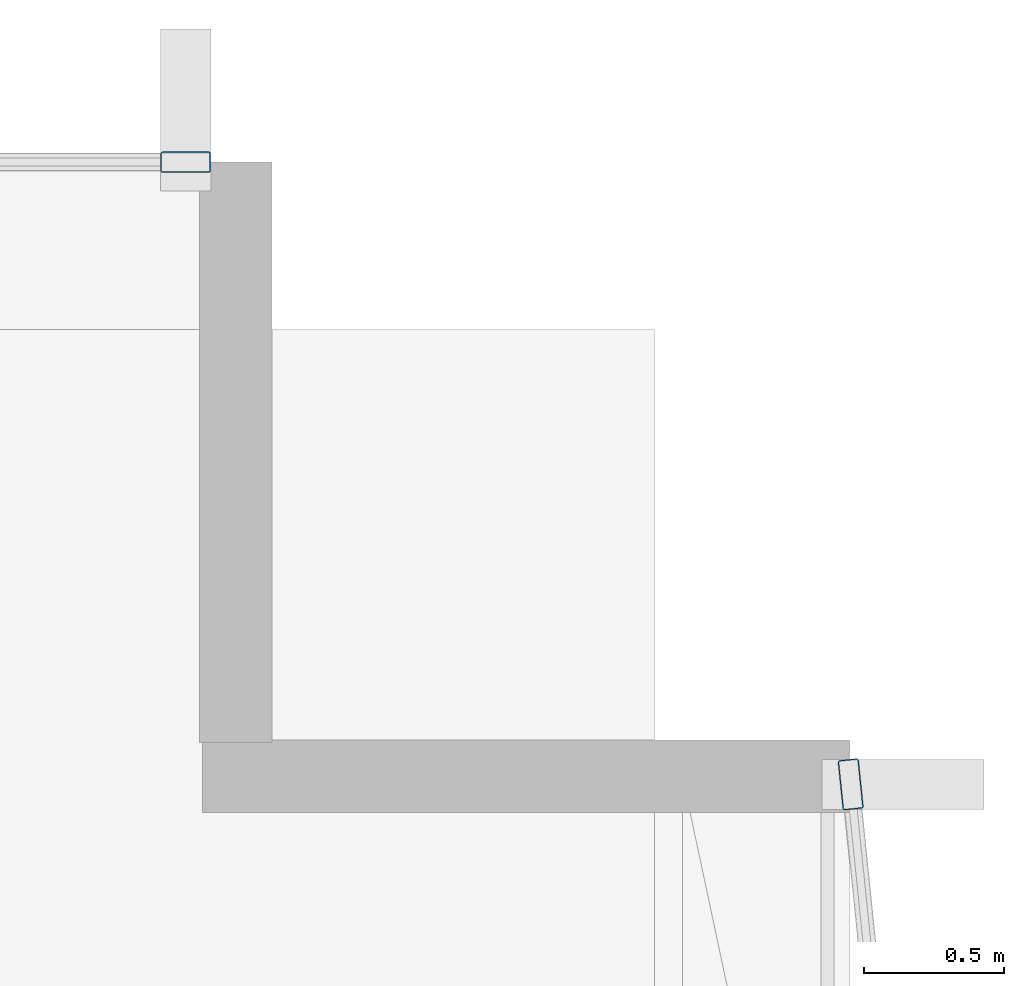
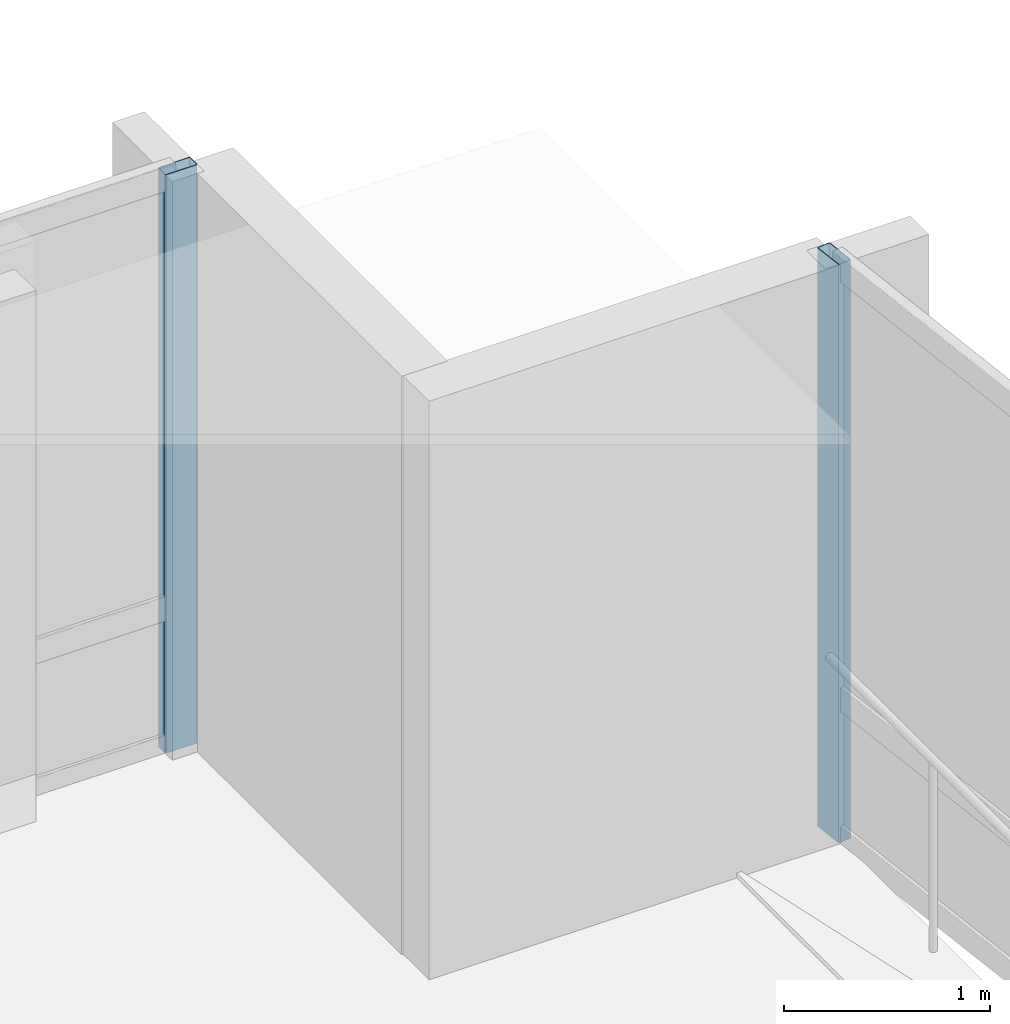
# One storey, part 17 of 34: 2 members, 2 elements without a shape of their own.
"""IFC4 building model written with IfcOpenShell, lengths in metres."""

import ifcopenshell
import ifcopenshell.guid

model = None  # the IFC model being written
_history = None  # IfcOwnerHistory: only IFC2X3 demands one
_inside = {}  # id of a spatial element -> (the spatial element, [elements in it])
_under = {}  # id of a project, library or spatial element -> (it, [spatial elements below it])
_declared = {}  # id of a project -> (the project, [libraries it declares])
_typed = {}  # id of a type object -> (the type object, [elements of that type])
_made_of = {}  # id of a material, layer set ... -> (it, [elements and type objects made of it])


def new_model(schema):
    """Start an empty IFC model of exactly this schema.

    Asked for "IFC4X3", IfcOpenShell would pick the latest addendum, in which some entities
    have other attributes; the version numbers below select the first issue.
    IFC2X3 requires an IfcOwnerHistory on every rooted entity: one is made here for all.
    """
    global model, _history
    if schema == "IFC4X3":
        model = ifcopenshell.file(schema_version=(4, 3, 0, 0))
    else:
        model = ifcopenshell.file(schema=schema)
    _inside.clear()
    _under.clear()
    _declared.clear()
    _typed.clear()
    _made_of.clear()
    _history = None
    if model.schema == "IFC2X3":
        org = make("IfcOrganization", Name="unknown")
        user = make(
            "IfcPersonAndOrganization",
            ThePerson=make("IfcPerson", FamilyName="unknown"),
            TheOrganization=org,
        )
        app = make(
            "IfcApplication",
            ApplicationDeveloper=org,
            Version="unknown",
            ApplicationFullName="unknown",
            ApplicationIdentifier="unknown",
        )
        _history = make(
            "IfcOwnerHistory",
            OwningUser=user,
            OwningApplication=app,
            ChangeAction="ADDED",
            CreationDate=0,
        )
    return model


def make(cls, **values):
    """One entity of the class cls with the attributes given. An attribute that is None is left unset."""
    return model.create_entity(
        cls, **{name: value for name, value in values.items() if value is not None}
    )


def rooted(cls, **values):
    """An entity with a GlobalId (a new one), such as an element, a storey or a relation."""
    return make(cls, GlobalId=ifcopenshell.guid.new(), OwnerHistory=_history, **values)


def si_unit(unit_type, name, prefix=None):
    """IfcSIUnit, for example si_unit("LENGTHUNIT", "METRE", prefix="MILLI")."""
    return make("IfcSIUnit", UnitType=unit_type, Prefix=prefix, Name=name)


def assignment(units):
    """IfcUnitAssignment: the units of a project."""
    return None if units is None else make("IfcUnitAssignment", Units=units)


def point(xyz):
    """IfcCartesianPoint."""
    return None if xyz is None else make("IfcCartesianPoint", Coordinates=xyz)


def direction(xyz):
    """IfcDirection."""
    return None if xyz is None else make("IfcDirection", DirectionRatios=xyz)


def frame(location, z_axis=None, x_axis=None):
    """IfcAxis2Placement3D, a coordinate frame: its origin and axes. An axis left out is left unset."""
    return make(
        "IfcAxis2Placement3D",
        Location=point(location),
        Axis=direction(z_axis),
        RefDirection=direction(x_axis),
    )


def frame_2d(location, x_axis=None):
    """IfcAxis2Placement2D, a coordinate frame in the plane: its origin and x axis."""
    return make(
        "IfcAxis2Placement2D", Location=point(location), RefDirection=direction(x_axis)
    )


def origin():
    """The frame at (0, 0, 0) with its axes left unset."""
    return frame((0.0, 0.0, 0.0))


def origin_2d():
    """The frame at (0, 0) in the plane with its x axis left unset."""
    return frame_2d((0.0, 0.0))


def place(relative_to, where):
    """IfcLocalPlacement: puts the frame where relative to a parent placement (None: the world)."""
    return make(
        "IfcLocalPlacement", PlacementRelTo=relative_to, RelativePlacement=where
    )


def context(
    kind, dimensions, precision=None, world=None, true_north=None, identifier=None
):
    """IfcGeometricRepresentationContext, for example the 3D "Model" context."""
    return make(
        "IfcGeometricRepresentationContext",
        ContextIdentifier=identifier,
        ContextType=kind,
        CoordinateSpaceDimension=dimensions,
        Precision=precision,
        WorldCoordinateSystem=world,
        TrueNorth=true_north,
    )


def subcontext(parent, identifier, kind, view, scale=None):
    """IfcGeometricRepresentationSubContext, for example "Body" below "Model"."""
    return make(
        "IfcGeometricRepresentationSubContext",
        ContextIdentifier=identifier,
        ContextType=kind,
        ParentContext=parent,
        TargetScale=scale,
        TargetView=view,
    )


def project(units=None, contexts=None):
    """IfcProject with its units and contexts."""
    return rooted(
        "IfcProject",
        Name="project",
        RepresentationContexts=contexts,
        UnitsInContext=assignment(units),
    )


def spatial(cls, under=None, at=None, **own):
    """A site, building, storey or space (cls), placed at a placement, below another one or the project."""
    s = rooted(cls, ObjectPlacement=at, **own)
    if under is not None:
        _under.setdefault(under.id(), (under, []))[1].append(s)
    return s


def profile(cls, at=None, kind="AREA", **sizes):
    """A parametric profile (cls). Its sizes go by their IFC names, for example OverallWidth=200.0."""
    return make(cls, ProfileType=kind, Position=at, **sizes)


def hollow_rectangle(**sizes):
    """IfcRectangleHollowProfileDef."""
    return profile("IfcRectangleHollowProfileDef", **sizes)


def extrude(swept, where, along, depth):
    """IfcExtrudedAreaSolid: the profile swept, set in the frame where, extruded along a direction by depth."""
    return make(
        "IfcExtrudedAreaSolid",
        SweptArea=swept,
        Position=where,
        ExtrudedDirection=direction(along),
        Depth=depth,
    )


def shape(context_of_items, identifier, shape_type, items):
    """IfcShapeRepresentation: the items that make up one representation, for example the "Body"."""
    return make(
        "IfcShapeRepresentation",
        ContextOfItems=context_of_items,
        RepresentationIdentifier=identifier,
        RepresentationType=shape_type,
        Items=items,
    )


def material(Name=None, Category=None):
    """IfcMaterial."""
    return make("IfcMaterial", Name=Name, Category=Category)


def layer(
    of_material, thickness, ventilated=None, Name=None, Category=None, Priority=None
):
    """IfcMaterialLayer: one layer of a wall or slab, of a material (None: an air gap)."""
    return make(
        "IfcMaterialLayer",
        Material=of_material,
        LayerThickness=thickness,
        IsVentilated=ventilated,
        Name=Name,
        Category=Category,
        Priority=Priority,
    )


def layer_set(layers, Name=None):
    """IfcMaterialLayerSet."""
    return make("IfcMaterialLayerSet", MaterialLayers=layers, LayerSetName=Name)


def material_profile(
    of_material, cross_section, Name=None, Category=None, Priority=None
):
    """IfcMaterialProfile: a cross section and its material."""
    return make(
        "IfcMaterialProfile",
        Name=Name,
        Material=of_material,
        Profile=cross_section,
        Priority=Priority,
        Category=Category,
    )


def profile_set(profiles, Name=None, composite=None):
    """IfcMaterialProfileSet."""
    return make(
        "IfcMaterialProfileSet",
        Name=Name,
        MaterialProfiles=profiles,
        CompositeProfile=composite,
    )


def made_of(thing, what):
    """Note that an element or type object is made of a material, layer set ...; save() writes the relation."""
    if what is not None:
        _made_of.setdefault(what.id(), (what, []))[1].append(thing)
    return thing


def type_object(cls, material=None, **own):
    """A type object (cls), such as IfcWallType, which elements share."""
    return made_of(rooted(cls, **own), material)


def element(
    cls,
    number,
    at=None,
    inside=None,
    cuts=None,
    type_object=None,
    material=None,
    context=None,
    identifier="Body",
    shape_type=None,
    held_by="IfcProductDefinitionShape",
    body=None,
    shapes=None,
    **own,
):
    """One element of the class cls, such as IfcWall. Its Tag is "e" and its number.

    at: its placement. inside: the storey or other place that contains it. cuts: it is an
    opening in that element (IfcRelVoidsElement). A single representation is given by context,
    identifier, shape_type and body (its items); several are given by shapes. held_by: the class
    of the entity that holds the representations. save() writes the other relations.
    """
    e = rooted(cls, Tag="e%d" % number, ObjectPlacement=at, **own)
    if body is not None:
        shapes = [shape(context, identifier, shape_type, body)]
    if shapes is not None:
        e.Representation = make(held_by, Representations=shapes)
    if inside is not None:
        _inside.setdefault(inside.id(), (inside, []))[1].append(e)
    if cuts is not None:
        rooted(
            "IfcRelVoidsElement", RelatingBuildingElement=cuts, RelatedOpeningElement=e
        )
    if type_object is not None:
        _typed.setdefault(type_object.id(), (type_object, []))[1].append(e)
    return made_of(e, material)


def aggregate(whole, parts):
    """IfcRelAggregates: a whole, such as a stair, and the parts it consists of."""
    return rooted("IfcRelAggregates", RelatingObject=whole, RelatedObjects=parts)


def save(model, path):
    """Write the relations noted so far, then the file.

    IfcRelAggregates (storeys below a building ...), IfcRelContainedInSpatialStructure (elements
    in a storey), IfcRelDefinesByType, IfcRelAssociatesMaterial and IfcRelDeclares: one each for
    every whole, place, type object, material and project.
    """
    for whole, parts in _under.values():
        aggregate(whole, parts)
    for where, things in _inside.values():
        rooted(
            "IfcRelContainedInSpatialStructure",
            RelatedElements=things,
            RelatingStructure=where,
        )
    for kind, things in _typed.values():
        rooted("IfcRelDefinesByType", RelatedObjects=things, RelatingType=kind)
    for what, things in _made_of.values():
        rooted("IfcRelAssociatesMaterial", RelatedObjects=things, RelatingMaterial=what)
    for by, libraries in _declared.values():
        rooted("IfcRelDeclares", RelatingContext=by, RelatedDefinitions=libraries)
    model.write(path)


model = new_model("IFC4")

# Units and contexts
model_context = context("Model", 3, precision=1e-05, world=origin(), true_north=direction((0.0, 1.0)))
body_context = subcontext(model_context, "Body", "Model", "MODEL_VIEW")
ifc_project = project(units=[si_unit("LENGTHUNIT", "METRE"), si_unit("AREAUNIT", "SQUARE_METRE"), si_unit("VOLUMEUNIT", "CUBIC_METRE"), si_unit("PLANEANGLEUNIT", "RADIAN"), si_unit("MASSUNIT", "GRAM", prefix="KILO")], contexts=[model_context])

# Site, building, storey
site_placement = place(None, origin())
site = spatial("IfcSite", under=ifc_project, at=site_placement, CompositionType="ELEMENT")
building_placement = place(site_placement, origin())
building = spatial("IfcBuilding", under=site, at=building_placement, Name="Solvaryn Broadcast Tower", CompositionType="ELEMENT")
storey_placement = place(building_placement, frame((0.0, 0.0, 65.60009765625)))
storey = spatial("IfcBuildingStorey", under=building, at=storey_placement, Name="L15", CompositionType="ELEMENT", Elevation=65.60009765625)

# Curtain wall, member
ifc_material_1 = material(Name="Aluminium and Terracotta Unitised Curtain Wall", Category="masonry")
ifc_layer = layer(ifc_material_1, 0.199951171875)
ifc_layer_set = layer_set([ifc_layer], Name="CW-SYS2-LOWMID")
curtain_wall_type = type_object("IfcCurtainWallType", Name="CW-SYS2-LOWMID", PredefinedType="NOTDEFINED", material=ifc_layer_set)
curtain_wall_1_placement = place(storey_placement, origin())
curtain_wall_1 = element("IfcCurtainWall", 1, at=curtain_wall_1_placement, inside=storey, type_object=curtain_wall_type, Name="L15 Curtain Wall ET1", PredefinedType="NOTDEFINED")
ifc_material_2 = material(Name="Anodised Aluminium 6063-T6", Category="aluminium")
ifc_material_profile = material_profile(ifc_material_2, hollow_rectangle(XDim=0.074951171875, YDim=0.179931640625, WallThickness=0.00390625, InnerFilletRadius=0.00390625, OuterFilletRadius=0.008056640625, at=origin_2d()))
ifc_profile_set = profile_set([ifc_material_profile], Name="Anodised Aluminium 6063-T6")
member_type = type_object("IfcMemberType", Name="CW-MUL-180", PredefinedType="MULLION", material=ifc_profile_set)
member_1_placement = place(storey_placement, frame((63.003173828125, 24.770263671875, 0.0), z_axis=(0.0, 0.0, 1.0), x_axis=(0.99474329889, 0.10240004548, 0.0)))
member_1 = element("IfcMember", 2, at=member_1_placement, type_object=member_type, Name="CWS2 mullion 1", PredefinedType="MULLION", context=body_context, shape_type="SweptSolid", body=[
    extrude(hollow_rectangle(XDim=0.074951171875, YDim=0.179931640625, WallThickness=0.00390625, InnerFilletRadius=0.00390625, OuterFilletRadius=0.008056640625, at=origin_2d()), origin(), (0.0, 0.0, 1.0), 3.419921875),
])
aggregate(curtain_wall_1, [member_1])

curtain_wall_2_placement = place(storey_placement, origin())
curtain_wall_2 = element("IfcCurtainWall", 3, at=curtain_wall_2_placement, inside=storey, type_object=curtain_wall_type, Name="L15 Curtain Wall IH", PredefinedType="NOTDEFINED")
member_2_placement = place(storey_placement, frame((60.6201171875, 27.0, 0.0), z_axis=(0.0, 0.0, 1.0), x_axis=(0.0, 1.0, 0.0)))
member_2 = element("IfcMember", 4, at=member_2_placement, type_object=member_type, Name="CWS2 mullion 2", PredefinedType="MULLION", context=body_context, shape_type="SweptSolid", body=[
    extrude(hollow_rectangle(XDim=0.074951171875, YDim=0.179931640625, WallThickness=0.00390625, InnerFilletRadius=0.00390625, OuterFilletRadius=0.008056640625, at=origin_2d()), origin(), (0.0, 0.0, 1.0), 3.419921875),
])
aggregate(curtain_wall_2, [member_2])

save(model, "model.ifc")
